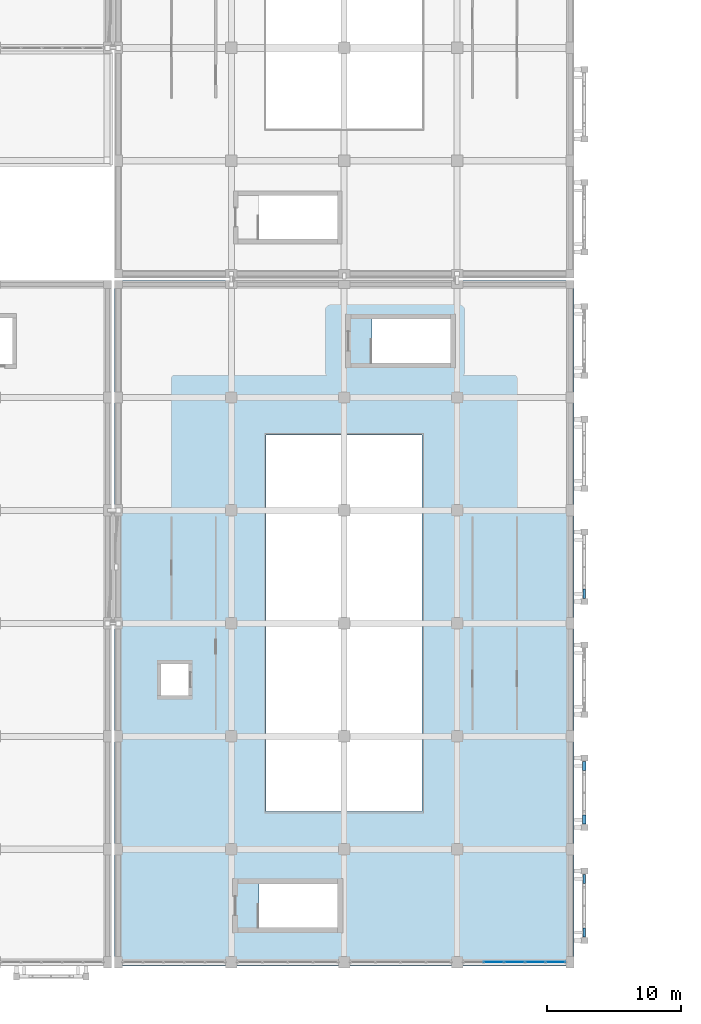
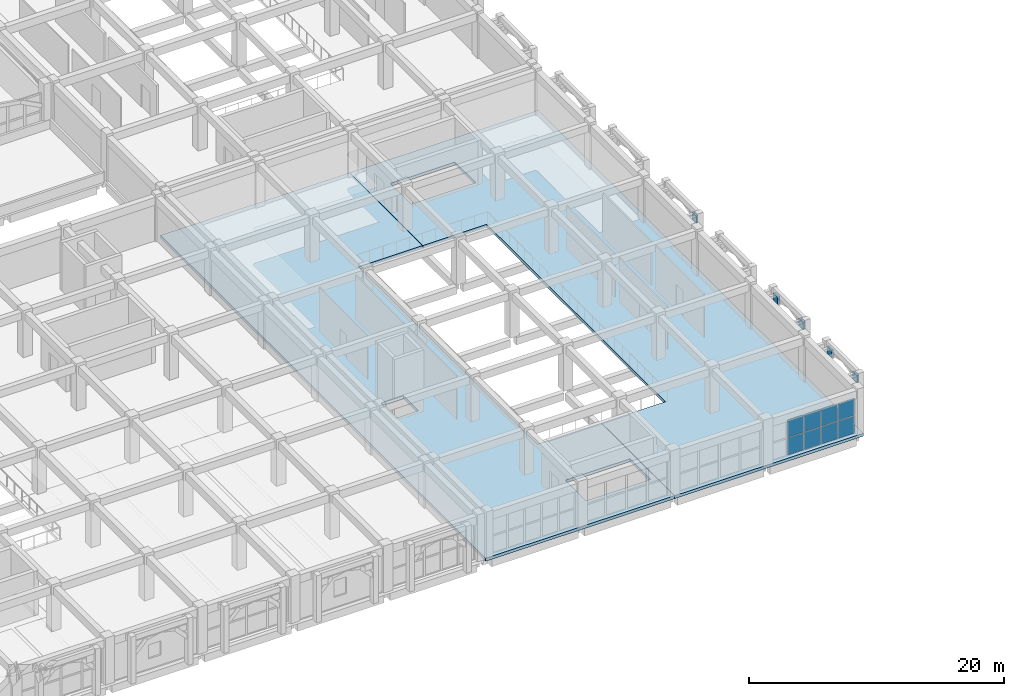
# One storey, part 90 of 129: 13 plates, 2 slabs, 1 element without a shape of its own.
"""IFC4 building model written with IfcOpenShell, lengths in metres."""

import ifcopenshell
import ifcopenshell.guid

model = None  # the IFC model being written
_history = None  # IfcOwnerHistory: only IFC2X3 demands one
_inside = {}  # id of a spatial element -> (the spatial element, [elements in it])
_under = {}  # id of a project, library or spatial element -> (it, [spatial elements below it])
_declared = {}  # id of a project -> (the project, [libraries it declares])
_typed = {}  # id of a type object -> (the type object, [elements of that type])
_made_of = {}  # id of a material, layer set ... -> (it, [elements and type objects made of it])


def new_model(schema):
    """Start an empty IFC model of exactly this schema.

    Asked for "IFC4X3", IfcOpenShell would pick the latest addendum, in which some entities
    have other attributes; the version numbers below select the first issue.
    IFC2X3 requires an IfcOwnerHistory on every rooted entity: one is made here for all.
    """
    global model, _history
    if schema == "IFC4X3":
        model = ifcopenshell.file(schema_version=(4, 3, 0, 0))
    else:
        model = ifcopenshell.file(schema=schema)
    _inside.clear()
    _under.clear()
    _declared.clear()
    _typed.clear()
    _made_of.clear()
    _history = None
    if model.schema == "IFC2X3":
        org = make("IfcOrganization", Name="unknown")
        user = make(
            "IfcPersonAndOrganization",
            ThePerson=make("IfcPerson", FamilyName="unknown"),
            TheOrganization=org,
        )
        app = make(
            "IfcApplication",
            ApplicationDeveloper=org,
            Version="unknown",
            ApplicationFullName="unknown",
            ApplicationIdentifier="unknown",
        )
        _history = make(
            "IfcOwnerHistory",
            OwningUser=user,
            OwningApplication=app,
            ChangeAction="ADDED",
            CreationDate=0,
        )
    return model


def make(cls, **values):
    """One entity of the class cls with the attributes given. An attribute that is None is left unset."""
    return model.create_entity(
        cls, **{name: value for name, value in values.items() if value is not None}
    )


def rooted(cls, **values):
    """An entity with a GlobalId (a new one), such as an element, a storey or a relation."""
    return make(cls, GlobalId=ifcopenshell.guid.new(), OwnerHistory=_history, **values)


def si_unit(unit_type, name, prefix=None):
    """IfcSIUnit, for example si_unit("LENGTHUNIT", "METRE", prefix="MILLI")."""
    return make("IfcSIUnit", UnitType=unit_type, Prefix=prefix, Name=name)


def assignment(units):
    """IfcUnitAssignment: the units of a project."""
    return None if units is None else make("IfcUnitAssignment", Units=units)


def point(xyz):
    """IfcCartesianPoint."""
    return None if xyz is None else make("IfcCartesianPoint", Coordinates=xyz)


def direction(xyz):
    """IfcDirection."""
    return None if xyz is None else make("IfcDirection", DirectionRatios=xyz)


def frame(location, z_axis=None, x_axis=None):
    """IfcAxis2Placement3D, a coordinate frame: its origin and axes. An axis left out is left unset."""
    return make(
        "IfcAxis2Placement3D",
        Location=point(location),
        Axis=direction(z_axis),
        RefDirection=direction(x_axis),
    )


def frame_2d(location, x_axis=None):
    """IfcAxis2Placement2D, a coordinate frame in the plane: its origin and x axis."""
    return make(
        "IfcAxis2Placement2D", Location=point(location), RefDirection=direction(x_axis)
    )


def origin():
    """The frame at (0, 0, 0) with its axes left unset."""
    return frame((0.0, 0.0, 0.0))


def origin_2d():
    """The frame at (0, 0) in the plane with its x axis left unset."""
    return frame_2d((0.0, 0.0))


def place(relative_to, where):
    """IfcLocalPlacement: puts the frame where relative to a parent placement (None: the world)."""
    return make(
        "IfcLocalPlacement", PlacementRelTo=relative_to, RelativePlacement=where
    )


def context(
    kind, dimensions, precision=None, world=None, true_north=None, identifier=None
):
    """IfcGeometricRepresentationContext, for example the 3D "Model" context."""
    return make(
        "IfcGeometricRepresentationContext",
        ContextIdentifier=identifier,
        ContextType=kind,
        CoordinateSpaceDimension=dimensions,
        Precision=precision,
        WorldCoordinateSystem=world,
        TrueNorth=true_north,
    )


def subcontext(parent, identifier, kind, view, scale=None):
    """IfcGeometricRepresentationSubContext, for example "Body" below "Model"."""
    return make(
        "IfcGeometricRepresentationSubContext",
        ContextIdentifier=identifier,
        ContextType=kind,
        ParentContext=parent,
        TargetScale=scale,
        TargetView=view,
    )


def project(units=None, contexts=None):
    """IfcProject with its units and contexts."""
    return rooted(
        "IfcProject",
        Name="project",
        RepresentationContexts=contexts,
        UnitsInContext=assignment(units),
    )


def spatial(cls, under=None, at=None, **own):
    """A site, building, storey or space (cls), placed at a placement, below another one or the project."""
    s = rooted(cls, ObjectPlacement=at, **own)
    if under is not None:
        _under.setdefault(under.id(), (under, []))[1].append(s)
    return s


def polyline(points):
    """IfcPolyline through the points."""
    return make("IfcPolyline", Points=[point(p) for p in points])


def profile(cls, at=None, kind="AREA", **sizes):
    """A parametric profile (cls). Its sizes go by their IFC names, for example OverallWidth=200.0."""
    return make(cls, ProfileType=kind, Position=at, **sizes)


def rectangle(**sizes):
    """IfcRectangleProfileDef."""
    return profile("IfcRectangleProfileDef", **sizes)


def outline(outer, holes=None, kind="AREA"):
    """IfcArbitraryClosedProfileDef: a profile drawn as a closed curve; with holes, ...WithVoids."""
    if holes is None:
        return make("IfcArbitraryClosedProfileDef", ProfileType=kind, OuterCurve=outer)
    return make(
        "IfcArbitraryProfileDefWithVoids",
        ProfileType=kind,
        OuterCurve=outer,
        InnerCurves=holes,
    )


def extrude(swept, where, along, depth):
    """IfcExtrudedAreaSolid: the profile swept, set in the frame where, extruded along a direction by depth."""
    return make(
        "IfcExtrudedAreaSolid",
        SweptArea=swept,
        Position=where,
        ExtrudedDirection=direction(along),
        Depth=depth,
    )


def shape(context_of_items, identifier, shape_type, items):
    """IfcShapeRepresentation: the items that make up one representation, for example the "Body"."""
    return make(
        "IfcShapeRepresentation",
        ContextOfItems=context_of_items,
        RepresentationIdentifier=identifier,
        RepresentationType=shape_type,
        Items=items,
    )


def material(Name=None, Category=None):
    """IfcMaterial."""
    return make("IfcMaterial", Name=Name, Category=Category)


def layer(
    of_material, thickness, ventilated=None, Name=None, Category=None, Priority=None
):
    """IfcMaterialLayer: one layer of a wall or slab, of a material (None: an air gap)."""
    return make(
        "IfcMaterialLayer",
        Material=of_material,
        LayerThickness=thickness,
        IsVentilated=ventilated,
        Name=Name,
        Category=Category,
        Priority=Priority,
    )


def layer_set(layers, Name=None):
    """IfcMaterialLayerSet."""
    return make("IfcMaterialLayerSet", MaterialLayers=layers, LayerSetName=Name)


def made_of(thing, what):
    """Note that an element or type object is made of a material, layer set ...; save() writes the relation."""
    if what is not None:
        _made_of.setdefault(what.id(), (what, []))[1].append(thing)
    return thing


def type_object(cls, material=None, **own):
    """A type object (cls), such as IfcWallType, which elements share."""
    return made_of(rooted(cls, **own), material)


def element(
    cls,
    number,
    at=None,
    inside=None,
    cuts=None,
    type_object=None,
    material=None,
    context=None,
    identifier="Body",
    shape_type=None,
    held_by="IfcProductDefinitionShape",
    body=None,
    shapes=None,
    **own,
):
    """One element of the class cls, such as IfcWall. Its Tag is "e" and its number.

    at: its placement. inside: the storey or other place that contains it. cuts: it is an
    opening in that element (IfcRelVoidsElement). A single representation is given by context,
    identifier, shape_type and body (its items); several are given by shapes. held_by: the class
    of the entity that holds the representations. save() writes the other relations.
    """
    e = rooted(cls, Tag="e%d" % number, ObjectPlacement=at, **own)
    if body is not None:
        shapes = [shape(context, identifier, shape_type, body)]
    if shapes is not None:
        e.Representation = make(held_by, Representations=shapes)
    if inside is not None:
        _inside.setdefault(inside.id(), (inside, []))[1].append(e)
    if cuts is not None:
        rooted(
            "IfcRelVoidsElement", RelatingBuildingElement=cuts, RelatedOpeningElement=e
        )
    if type_object is not None:
        _typed.setdefault(type_object.id(), (type_object, []))[1].append(e)
    return made_of(e, material)


def aggregate(whole, parts):
    """IfcRelAggregates: a whole, such as a stair, and the parts it consists of."""
    return rooted("IfcRelAggregates", RelatingObject=whole, RelatedObjects=parts)


def save(model, path):
    """Write the relations noted so far, then the file.

    IfcRelAggregates (storeys below a building ...), IfcRelContainedInSpatialStructure (elements
    in a storey), IfcRelDefinesByType, IfcRelAssociatesMaterial and IfcRelDeclares: one each for
    every whole, place, type object, material and project.
    """
    for whole, parts in _under.values():
        aggregate(whole, parts)
    for where, things in _inside.values():
        rooted(
            "IfcRelContainedInSpatialStructure",
            RelatedElements=things,
            RelatingStructure=where,
        )
    for kind, things in _typed.values():
        rooted("IfcRelDefinesByType", RelatedObjects=things, RelatingType=kind)
    for what, things in _made_of.values():
        rooted("IfcRelAssociatesMaterial", RelatedObjects=things, RelatingMaterial=what)
    for by, libraries in _declared.values():
        rooted("IfcRelDeclares", RelatingContext=by, RelatedDefinitions=libraries)
    model.write(path)


model = new_model("IFC4")

# Units and contexts
model_context = context("Model", 3, precision=1e-05, world=origin(), true_north=direction((0.0, 1.0)))
body_context = subcontext(model_context, "Body", "Model", "MODEL_VIEW")
ifc_project = project(units=[si_unit("LENGTHUNIT", "METRE"), si_unit("AREAUNIT", "SQUARE_METRE"), si_unit("VOLUMEUNIT", "CUBIC_METRE"), si_unit("PLANEANGLEUNIT", "RADIAN"), si_unit("MASSUNIT", "GRAM", prefix="KILO")], contexts=[model_context])

# Site, building, storey
site_placement = place(None, origin())
site = spatial("IfcSite", under=ifc_project, at=site_placement, CompositionType="ELEMENT")
building_placement = place(site_placement, origin())
building = spatial("IfcBuilding", under=site, at=building_placement, Name="Xazarin Passage Department Store", CompositionType="ELEMENT")
storey_placement = place(building_placement, frame((0.0, 0.0, 9.89990234375)))
storey = spatial("IfcBuildingStorey", under=building, at=storey_placement, Name="L02", CompositionType="ELEMENT", Elevation=9.89990234375)

# Curtain wall, plates
ifc_material_1 = material(Name="Bronze anodised aluminium", Category="aluminium")
ifc_layer_1 = layer(ifc_material_1, 0.159912109375)
ifc_layer_set_1 = layer_set([ifc_layer_1], Name="Bronze anodised aluminium")
curtain_wall_type = type_object("IfcCurtainWallType", Name="ARC-CW-ARC1", PredefinedType="NOTDEFINED", material=ifc_layer_set_1)
curtain_wall_placement = place(storey_placement, origin())
curtain_wall = element("IfcCurtainWall", 1, at=curtain_wall_placement, inside=storey, type_object=curtain_wall_type, Name="L02 V2S Curtain Wall 107", PredefinedType="NOTDEFINED")
ifc_material_2 = material(Name="Low-E laminated safety glass", Category="glass")
ifc_layer_2 = layer(ifc_material_2, 0.028076171875)
ifc_layer_set_2 = layer_set([ifc_layer_2], Name="Low-E laminated safety glass")
plate_type_1 = type_object("IfcPlateType", Name="ARC-CWP-GLZ28", PredefinedType="CURTAIN_PANEL", material=ifc_layer_set_2)
plate_1_placement = place(storey_placement, frame((95.927490234375, 0.0, 0.065185546875), z_axis=(0.0, 0.0, 1.0), x_axis=(1.0, 0.0, 0.0)))
plate_1 = element("IfcPlate", 2, at=plate_1_placement, type_object=plate_type_1, Name="CW3 panel 2.1", PredefinedType="CURTAIN_PANEL", context=body_context, shape_type="SweptSolid", body=[
    extrude(rectangle(XDim=1.469970703125, YDim=0.028076171875, at=origin_2d()), origin(), (0.0, 0.0, 1.0), 1.6474609375),
])
plate_2_placement = place(storey_placement, frame((95.927490234375, 0.0, 1.777587890625), z_axis=(0.0, 0.0, 1.0), x_axis=(1.0, 0.0, 0.0)))
plate_2 = element("IfcPlate", 3, at=plate_2_placement, type_object=plate_type_1, Name="CW3 panel 2.2", PredefinedType="CURTAIN_PANEL", context=body_context, shape_type="SweptSolid", body=[
    extrude(rectangle(XDim=1.469970703125, YDim=0.028076171875, at=origin_2d()), origin(), (0.0, 0.0, 1.0), 1.6474609375),
])
plate_3_placement = place(storey_placement, frame((97.46240234375, 0.0, 0.065185546875), z_axis=(0.0, 0.0, 1.0), x_axis=(1.0, 0.0, 0.0)))
plate_3 = element("IfcPlate", 4, at=plate_3_placement, type_object=plate_type_1, Name="CW3 panel 3.1", PredefinedType="CURTAIN_PANEL", context=body_context, shape_type="SweptSolid", body=[
    extrude(rectangle(XDim=1.469970703125, YDim=0.028076171875, at=origin_2d()), origin(), (0.0, 0.0, 1.0), 1.6474609375),
])
plate_4_placement = place(storey_placement, frame((97.46240234375, 0.0, 1.777587890625), z_axis=(0.0, 0.0, 1.0), x_axis=(1.0, 0.0, 0.0)))
plate_4 = element("IfcPlate", 5, at=plate_4_placement, type_object=plate_type_1, Name="CW3 panel 3.2", PredefinedType="CURTAIN_PANEL", context=body_context, shape_type="SweptSolid", body=[
    extrude(rectangle(XDim=1.469970703125, YDim=0.028076171875, at=origin_2d()), origin(), (0.0, 0.0, 1.0), 1.6474609375),
])
plate_5_placement = place(storey_placement, frame((98.99755859375, 0.0, 0.065185546875), z_axis=(0.0, 0.0, 1.0), x_axis=(1.0, 0.0, 0.0)))
plate_5 = element("IfcPlate", 6, at=plate_5_placement, type_object=plate_type_1, Name="CW3 panel 4.1", PredefinedType="CURTAIN_PANEL", context=body_context, shape_type="SweptSolid", body=[
    extrude(rectangle(XDim=1.469970703125, YDim=0.028076171875, at=origin_2d()), origin(), (0.0, 0.0, 1.0), 1.6474609375),
])
plate_6_placement = place(storey_placement, frame((98.99755859375, 0.0, 1.777587890625), z_axis=(0.0, 0.0, 1.0), x_axis=(1.0, 0.0, 0.0)))
plate_6 = element("IfcPlate", 7, at=plate_6_placement, type_object=plate_type_1, Name="CW3 panel 4.2", PredefinedType="CURTAIN_PANEL", context=body_context, shape_type="SweptSolid", body=[
    extrude(rectangle(XDim=1.469970703125, YDim=0.028076171875, at=origin_2d()), origin(), (0.0, 0.0, 1.0), 1.6474609375),
])
plate_7_placement = place(storey_placement, frame((100.516357421875, 0.0, 0.065185546875), z_axis=(0.0, 0.0, 1.0), x_axis=(1.0, 0.0, 0.0)))
plate_7 = element("IfcPlate", 8, at=plate_7_placement, type_object=plate_type_1, Name="CW3 panel 5.1", PredefinedType="CURTAIN_PANEL", context=body_context, shape_type="SweptSolid", body=[
    extrude(rectangle(XDim=1.4375, YDim=0.028076171875, at=origin_2d()), origin(), (0.0, 0.0, 1.0), 1.6474609375),
])
plate_8_placement = place(storey_placement, frame((100.516357421875, 0.0, 1.777587890625), z_axis=(0.0, 0.0, 1.0), x_axis=(1.0, 0.0, 0.0)))
plate_8 = element("IfcPlate", 9, at=plate_8_placement, type_object=plate_type_1, Name="CW3 panel 5.2", PredefinedType="CURTAIN_PANEL", context=body_context, shape_type="SweptSolid", body=[
    extrude(rectangle(XDim=1.4375, YDim=0.028076171875, at=origin_2d()), origin(), (0.0, 0.0, 1.0), 1.6474609375),
])
aggregate(curtain_wall, [plate_1, plate_2, plate_3, plate_4, plate_5, plate_6, plate_7, plate_8])

# Plates
ifc_material_3 = material(Name="Precast concrete C40/50", Category="concrete")
ifc_layer_3 = layer(ifc_material_3, 0.159912109375)
ifc_layer_set_3 = layer_set([ifc_layer_3], Name="Precast concrete C40/50")
plate_type_2 = type_object("IfcPlateType", Name="ARC-PLT-SCR-09", PredefinedType="USERDEFINED", material=ifc_layer_set_3)
plate_9_placement = place(storey_placement, frame((102.64990234375, 27.39990234375, 3.26025390625), z_axis=(0.0, 0.0, 1.0), x_axis=(0.0, 1.0, 0.0)))
element("IfcPlate", 10, at=plate_9_placement, inside=storey, type_object=plate_type_2, Name="L02 V2S Arch Spandrel Tympanum 0189", ObjectType="SCREEN PANEL", PredefinedType="USERDEFINED", context=body_context, shape_type="SweptSolid", body=[
    extrude(rectangle(XDim=0.679931640625, YDim=0.159912109375, at=origin_2d()), origin(), (0.0, 0.0, 1.0), 0.719970703125),
])
ifc_layer_4 = layer(ifc_material_3, 0.179931640625)
ifc_layer_set_4 = layer_set([ifc_layer_4], Name="Precast concrete C40/50")
plate_type_3 = type_object("IfcPlateType", Name="ARC-PLT-SCR-11", PredefinedType="USERDEFINED", material=ifc_layer_set_4)
for number, where, z_axis, x_axis, name in (
    (11, (102.64990234375, 2.199951171875, 3.26025390625), (0.0, 0.0, 1.0), (0.0, 1.0, 0.0), "L02 V2S Arch Spandrel Tympanum 0171"),
    (12, (102.64990234375, 6.199951171875, 3.26025390625), (0.0, 0.0, 1.0), (0.0, 1.0, 0.0), "L02 V2S Arch Spandrel Tympanum 0172"),
):
    element("IfcPlate", number, at=place(storey_placement, frame(where, z_axis=z_axis, x_axis=x_axis)), inside=storey, type_object=plate_type_3, Name=name, ObjectType="SCREEN PANEL", PredefinedType="USERDEFINED", context=body_context, shape_type="SweptSolid", body=[
        extrude(rectangle(XDim=0.679931640625, YDim=0.179931640625, at=origin_2d()), origin(), (0.0, 0.0, 1.0), 0.719970703125),
    ])
ifc_layer_5 = layer(ifc_material_3, 0.239990234375)
ifc_layer_set_5 = layer_set([ifc_layer_5], Name="Precast concrete C40/50")
plate_type_4 = type_object("IfcPlateType", Name="ARC-PLT-SCR-17", PredefinedType="USERDEFINED", material=ifc_layer_set_5)
for number, where, z_axis, x_axis, name in (
    (13, (102.64990234375, 10.60009765625, 3.26025390625), (0.0, 0.0, 1.0), (0.0, 1.0, 0.0), "L02 V2S Arch Spandrel Tympanum 0177"),
    (14, (102.64990234375, 14.60009765625, 3.26025390625), (0.0, 0.0, 1.0), (0.0, 1.0, 0.0), "L02 V2S Arch Spandrel Tympanum 0178"),
):
    element("IfcPlate", number, at=place(storey_placement, frame(where, z_axis=z_axis, x_axis=x_axis)), inside=storey, type_object=plate_type_4, Name=name, ObjectType="SCREEN PANEL", PredefinedType="USERDEFINED", context=body_context, shape_type="SweptSolid", body=[
        extrude(rectangle(XDim=0.679931640625, YDim=0.239990234375, at=origin_2d()), origin(), (0.0, 0.0, 1.0), 0.719970703125),
    ])

# Slabs
ifc_material_4 = material(Name="Concrete C35/45", Category="concrete")
ifc_layer_6 = layer(ifc_material_4, 0.280029296875)
ifc_layer_set_6 = layer_set([ifc_layer_6], Name="Concrete C35/45")
slab_type = type_object("IfcSlabType", Name="STR-SLB-FLR280", PredefinedType="FLOOR", material=ifc_layer_set_6)
slab_1_placement = place(storey_placement, frame((0.0, 0.0, -0.27978515625)))
element("IfcSlab", 15, at=slab_1_placement, inside=storey, type_object=slab_type, Name="L02 V2S Suspended Floor Slab Bay 1", PredefinedType="FLOOR", context=body_context, shape_type="SweptSolid", body=[
    extrude(outline(polyline([(67.699951171875, -0.300048828125), (84.7900390625, -0.300048828125), (84.7900390625, 11.199951171875), (79.0, 11.199951171875), (79.0, 39.199951171875), (84.7900390625, 39.199951171875), (84.7900390625, 50.699951171875), (67.699951171875, 50.699951171875), (67.699951171875, -0.300048828125)]), holes=[polyline([(78.451904296875, 5.820068359375), (84.300048828125, 5.820068359375), (84.300048828125, 2.580078125), (78.451904296875, 2.580078125), (78.451904296875, 5.820068359375)]), polyline([(71.179931640625, 19.830078125), (71.179931640625, 22.169921875), (73.219970703125, 22.169921875), (73.219970703125, 19.830078125), (71.179931640625, 19.830078125)])]), origin(), (0.0, 0.0, 1.0), 0.27978515625),
])
slab_2_placement = place(storey_placement, frame((0.0, 0.0, -0.27978515625)))
element("IfcSlab", 16, at=slab_2_placement, inside=storey, type_object=slab_type, Name="L02 V2S Suspended Floor Slab Bay 2", PredefinedType="FLOOR", context=body_context, shape_type="SweptSolid", body=[
    extrude(outline(polyline([(84.81005859375, 50.699951171875), (84.81005859375, 39.199951171875), (90.60009765625, 39.199951171875), (90.60009765625, 11.199951171875), (84.81005859375, 11.199951171875), (84.81005859375, -0.300048828125), (101.89990234375, -0.300048828125), (101.89990234375, 50.699951171875), (84.81005859375, 50.699951171875)]), holes=[polyline([(86.85205078125, 47.820068359375), (92.699951171875, 47.820068359375), (92.699951171875, 44.580078125), (86.85205078125, 44.580078125), (86.85205078125, 47.820068359375)])]), origin(), (0.0, 0.0, 1.0), 0.27978515625),
])

save(model, "model.ifc")
